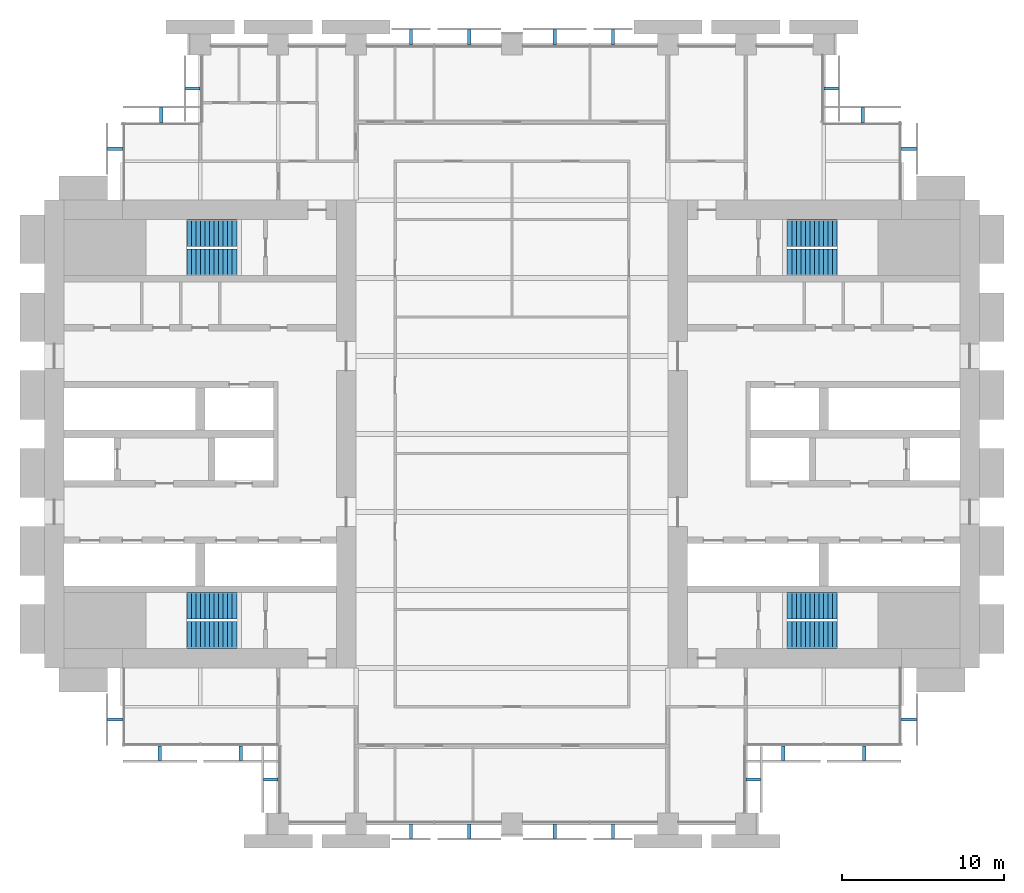
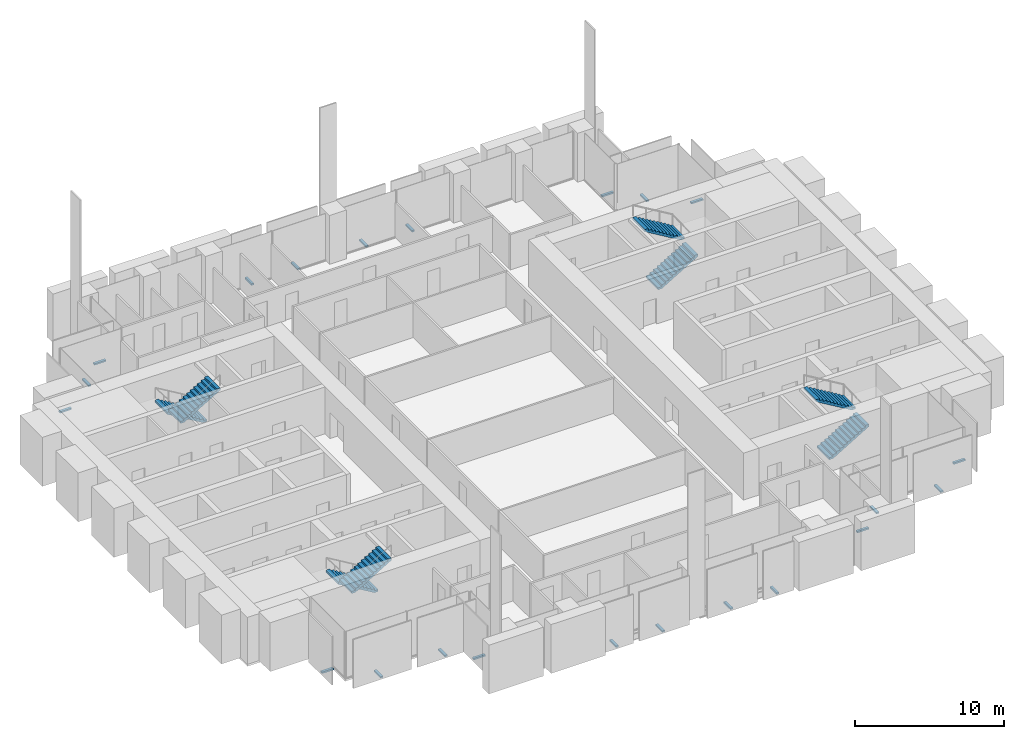
# One storey, part 13 of 14: 22 discrete accessories, 8 stair flights, 4 elements without a shape of their own.
"""IFC4 building model written with IfcOpenShell, lengths in metres."""

from ifc_helpers import new_model, si_unit, direction, frame, origin, origin_2d, place, context, subcontext, project, spatial, polyline, rectangle, outline, extrude, material, type_object, element, aggregate, save


model = new_model("IFC4")

# Units and contexts
model_context = context("Model", 3, precision=1e-05, world=origin(), true_north=direction((0.0, 1.0)))
body_context = subcontext(model_context, "Body", "Model", "MODEL_VIEW")
ifc_project = project(units=[si_unit("LENGTHUNIT", "METRE"), si_unit("AREAUNIT", "SQUARE_METRE"), si_unit("VOLUMEUNIT", "CUBIC_METRE"), si_unit("PLANEANGLEUNIT", "RADIAN"), si_unit("MASSUNIT", "GRAM", prefix="KILO")], contexts=[model_context])

# Site, building, storey
site_placement = place(None, origin())
site = spatial("IfcSite", under=ifc_project, at=site_placement, CompositionType="ELEMENT")
building_placement = place(site_placement, origin())
building = spatial("IfcBuilding", under=site, at=building_placement, Name="Baori Bourse Tower", CompositionType="ELEMENT")
storey_placement = place(building_placement, frame((0.0, 0.0, 63.0)))
storey = spatial("IfcBuildingStorey", under=building, at=storey_placement, Name="L13", CompositionType="ELEMENT", Elevation=63.0)

# Stair, stair flights
ifc_material_1 = material(Name="Concrete f'c 50 MPa", Category="concrete")
stair_type = type_object("IfcStairType", Name="Core stair", PredefinedType="HALF_TURN_STAIR", material=ifc_material_1)
stair_1_placement = place(storey_placement, origin())
stair_1 = element("IfcStair", 1, at=stair_1_placement, inside=storey, type_object=stair_type, Name="L13 Stair WA", PredefinedType="HALF_TURN_STAIR")
ifc_material_2 = material(Name="Concrete f'c 50 MPa", Category="concrete")
stair_flight_type = type_object("IfcStairFlightType", Name="Core stair flight", PredefinedType="STRAIGHT", material=ifc_material_2)
stair_flight_1_placement = place(storey_placement, frame((11.85009765625, 13.425048828125, 0.0), z_axis=(0.0, 0.0, 1.0), x_axis=(-1.0, 0.0, 0.0)))
stair_flight_1 = element("IfcStairFlight", 2, at=stair_flight_1_placement, type_object=stair_flight_type, Name="ST1 flight 1", NumberOfRisers=12, NumberOfTreads=11, PredefinedType="STRAIGHT", RiserHeight=0.166666667, TreadLength=0.28, context=body_context, shape_type="SweptSolid", body=[
    extrude(outline(polyline([(0.0, 0.0), (0.0, 0.166748046875), (0.280029296875, 0.166748046875), (0.280029296875, 0.333251953125), (0.56005859375, 0.333251953125), (0.56005859375, 0.5), (0.840087890625, 0.5), (0.840087890625, 0.666748046875), (1.1201171875, 0.666748046875), (1.1201171875, 0.833251953125), (1.39990234375, 0.833251953125), (1.39990234375, 1.0), (1.679931640625, 1.0), (1.679931640625, 1.166748046875), (1.9599609375, 1.166748046875), (1.9599609375, 1.333251953125), (2.239990234375, 1.333251953125), (2.239990234375, 1.5), (2.52001953125, 1.5), (2.52001953125, 1.666748046875), (2.800048828125, 1.666748046875), (2.800048828125, 1.833251953125), (3.080078125, 1.833251953125), (3.080078125, 2.0), (3.080078125, 1.658935546875), (0.29296875, 0.0), (0.0, 0.0)])), frame((0.0, 0.824951171875, 0.0), z_axis=(0.0, -1.0, 0.0), x_axis=(1.0, 0.0, 0.0)), (0.0, 0.0, 1.0), 1.64990234375),
])
stair_flight_2_placement = place(storey_placement, frame((8.77001953125, 11.625, 2.0), z_axis=(0.0, 0.0, 1.0), x_axis=(1.0, 0.0, 0.0)))
stair_flight_2 = element("IfcStairFlight", 3, at=stair_flight_2_placement, type_object=stair_flight_type, Name="ST1 flight 2", NumberOfRisers=12, NumberOfTreads=11, PredefinedType="STRAIGHT", RiserHeight=0.166666667, TreadLength=0.28, context=body_context, shape_type="SweptSolid", body=[
    extrude(outline(polyline([(0.0, 0.0), (0.0, 0.166748046875), (0.280029296875, 0.166748046875), (0.280029296875, 0.333251953125), (0.56005859375, 0.333251953125), (0.56005859375, 0.5), (0.840087890625, 0.5), (0.840087890625, 0.666748046875), (1.1201171875, 0.666748046875), (1.1201171875, 0.833251953125), (1.39990234375, 0.833251953125), (1.39990234375, 1.0), (1.679931640625, 1.0), (1.679931640625, 1.166748046875), (1.9599609375, 1.166748046875), (1.9599609375, 1.333251953125), (2.239990234375, 1.333251953125), (2.239990234375, 1.5), (2.52001953125, 1.5), (2.52001953125, 1.666748046875), (2.800048828125, 1.666748046875), (2.800048828125, 1.833251953125), (3.080078125, 1.833251953125), (3.080078125, 2.0), (3.080078125, 1.658935546875), (0.29296875, 0.0), (0.0, 0.0)])), frame((0.0, 0.824951171875, 0.0), z_axis=(0.0, -1.0, 0.0), x_axis=(1.0, 0.0, 0.0)), (0.0, 0.0, 1.0), 1.64990234375),
])
aggregate(stair_1, [stair_flight_1, stair_flight_2])

stair_2_placement = place(storey_placement, origin())
stair_2 = element("IfcStair", 4, at=stair_2_placement, inside=storey, type_object=stair_type, Name="L13 Stair WB", PredefinedType="HALF_TURN_STAIR")
stair_flight_3_placement = place(storey_placement, frame((11.85009765625, 36.375, 0.0), z_axis=(0.0, 0.0, 1.0), x_axis=(-1.0, 0.0, 0.0)))
stair_flight_3 = element("IfcStairFlight", 5, at=stair_flight_3_placement, type_object=stair_flight_type, Name="ST2 flight 1", NumberOfRisers=12, NumberOfTreads=11, PredefinedType="STRAIGHT", RiserHeight=0.166666667, TreadLength=0.28, context=body_context, shape_type="SweptSolid", body=[
    extrude(outline(polyline([(0.0, 0.0), (0.0, 0.166748046875), (0.280029296875, 0.166748046875), (0.280029296875, 0.333251953125), (0.56005859375, 0.333251953125), (0.56005859375, 0.5), (0.840087890625, 0.5), (0.840087890625, 0.666748046875), (1.1201171875, 0.666748046875), (1.1201171875, 0.833251953125), (1.39990234375, 0.833251953125), (1.39990234375, 1.0), (1.679931640625, 1.0), (1.679931640625, 1.166748046875), (1.9599609375, 1.166748046875), (1.9599609375, 1.333251953125), (2.239990234375, 1.333251953125), (2.239990234375, 1.5), (2.52001953125, 1.5), (2.52001953125, 1.666748046875), (2.800048828125, 1.666748046875), (2.800048828125, 1.833251953125), (3.080078125, 1.833251953125), (3.080078125, 2.0), (3.080078125, 1.658935546875), (0.29296875, 0.0), (0.0, 0.0)])), frame((0.0, 0.824951171875, 0.0), z_axis=(0.0, -1.0, 0.0), x_axis=(1.0, 0.0, 0.0)), (0.0, 0.0, 1.0), 1.64990234375),
])
stair_flight_4_placement = place(storey_placement, frame((8.77001953125, 34.574951171875, 2.0), z_axis=(0.0, 0.0, 1.0), x_axis=(1.0, 0.0, 0.0)))
stair_flight_4 = element("IfcStairFlight", 6, at=stair_flight_4_placement, type_object=stair_flight_type, Name="ST2 flight 2", NumberOfRisers=12, NumberOfTreads=11, PredefinedType="STRAIGHT", RiserHeight=0.166666667, TreadLength=0.28, context=body_context, shape_type="SweptSolid", body=[
    extrude(outline(polyline([(0.0, 0.0), (0.0, 0.166748046875), (0.280029296875, 0.166748046875), (0.280029296875, 0.333251953125), (0.56005859375, 0.333251953125), (0.56005859375, 0.5), (0.840087890625, 0.5), (0.840087890625, 0.666748046875), (1.1201171875, 0.666748046875), (1.1201171875, 0.833251953125), (1.39990234375, 0.833251953125), (1.39990234375, 1.0), (1.679931640625, 1.0), (1.679931640625, 1.166748046875), (1.9599609375, 1.166748046875), (1.9599609375, 1.333251953125), (2.239990234375, 1.333251953125), (2.239990234375, 1.5), (2.52001953125, 1.5), (2.52001953125, 1.666748046875), (2.800048828125, 1.666748046875), (2.800048828125, 1.833251953125), (3.080078125, 1.833251953125), (3.080078125, 2.0), (3.080078125, 1.658935546875), (0.29296875, 0.0), (0.0, 0.0)])), frame((0.0, 0.824951171875, 0.0), z_axis=(0.0, -1.0, 0.0), x_axis=(1.0, 0.0, 0.0)), (0.0, 0.0, 1.0), 1.64990234375),
])
aggregate(stair_2, [stair_flight_3, stair_flight_4])

stair_3_placement = place(storey_placement, origin())
stair_3 = element("IfcStair", 7, at=stair_3_placement, inside=storey, type_object=stair_type, Name="L13 Stair EA", PredefinedType="HALF_TURN_STAIR")
stair_flight_5_placement = place(storey_placement, frame((45.75, 11.625, 0.0), z_axis=(0.0, 0.0, 1.0), x_axis=(1.0, 0.0, 0.0)))
stair_flight_5 = element("IfcStairFlight", 8, at=stair_flight_5_placement, type_object=stair_flight_type, Name="ST3 flight 1", NumberOfRisers=12, NumberOfTreads=11, PredefinedType="STRAIGHT", RiserHeight=0.166666667, TreadLength=0.28, context=body_context, shape_type="SweptSolid", body=[
    extrude(outline(polyline([(0.0, 0.0), (0.0, 0.166748046875), (0.280029296875, 0.166748046875), (0.280029296875, 0.333251953125), (0.56005859375, 0.333251953125), (0.56005859375, 0.5), (0.840087890625, 0.5), (0.840087890625, 0.666748046875), (1.1201171875, 0.666748046875), (1.1201171875, 0.833251953125), (1.39990234375, 0.833251953125), (1.39990234375, 1.0), (1.679931640625, 1.0), (1.679931640625, 1.166748046875), (1.9599609375, 1.166748046875), (1.9599609375, 1.333251953125), (2.239990234375, 1.333251953125), (2.239990234375, 1.5), (2.52001953125, 1.5), (2.52001953125, 1.666748046875), (2.800048828125, 1.666748046875), (2.800048828125, 1.833251953125), (3.080078125, 1.833251953125), (3.080078125, 2.0), (3.080078125, 1.658935546875), (0.29296875, 0.0), (0.0, 0.0)])), frame((0.0, 0.824951171875, 0.0), z_axis=(0.0, -1.0, 0.0), x_axis=(1.0, 0.0, 0.0)), (0.0, 0.0, 1.0), 1.64990234375),
])
stair_flight_6_placement = place(storey_placement, frame((48.830078125, 13.425048828125, 2.0), z_axis=(0.0, 0.0, 1.0), x_axis=(-1.0, 0.0, 0.0)))
stair_flight_6 = element("IfcStairFlight", 9, at=stair_flight_6_placement, type_object=stair_flight_type, Name="ST3 flight 2", NumberOfRisers=12, NumberOfTreads=11, PredefinedType="STRAIGHT", RiserHeight=0.166666667, TreadLength=0.28, context=body_context, shape_type="SweptSolid", body=[
    extrude(outline(polyline([(0.0, 0.0), (0.0, 0.166748046875), (0.280029296875, 0.166748046875), (0.280029296875, 0.333251953125), (0.56005859375, 0.333251953125), (0.56005859375, 0.5), (0.840087890625, 0.5), (0.840087890625, 0.666748046875), (1.1201171875, 0.666748046875), (1.1201171875, 0.833251953125), (1.39990234375, 0.833251953125), (1.39990234375, 1.0), (1.679931640625, 1.0), (1.679931640625, 1.166748046875), (1.9599609375, 1.166748046875), (1.9599609375, 1.333251953125), (2.239990234375, 1.333251953125), (2.239990234375, 1.5), (2.52001953125, 1.5), (2.52001953125, 1.666748046875), (2.800048828125, 1.666748046875), (2.800048828125, 1.833251953125), (3.080078125, 1.833251953125), (3.080078125, 2.0), (3.080078125, 1.658935546875), (0.29296875, 0.0), (0.0, 0.0)])), frame((0.0, 0.824951171875, 0.0), z_axis=(0.0, -1.0, 0.0), x_axis=(1.0, 0.0, 0.0)), (0.0, 0.0, 1.0), 1.64990234375),
])
aggregate(stair_3, [stair_flight_5, stair_flight_6])

stair_4_placement = place(storey_placement, origin())
stair_4 = element("IfcStair", 10, at=stair_4_placement, inside=storey, type_object=stair_type, Name="L13 Stair EB", PredefinedType="HALF_TURN_STAIR")
stair_flight_7_placement = place(storey_placement, frame((45.75, 34.574951171875, 0.0), z_axis=(0.0, 0.0, 1.0), x_axis=(1.0, 0.0, 0.0)))
stair_flight_7 = element("IfcStairFlight", 11, at=stair_flight_7_placement, type_object=stair_flight_type, Name="ST4 flight 1", NumberOfRisers=12, NumberOfTreads=11, PredefinedType="STRAIGHT", RiserHeight=0.166666667, TreadLength=0.28, context=body_context, shape_type="SweptSolid", body=[
    extrude(outline(polyline([(0.0, 0.0), (0.0, 0.166748046875), (0.280029296875, 0.166748046875), (0.280029296875, 0.333251953125), (0.56005859375, 0.333251953125), (0.56005859375, 0.5), (0.840087890625, 0.5), (0.840087890625, 0.666748046875), (1.1201171875, 0.666748046875), (1.1201171875, 0.833251953125), (1.39990234375, 0.833251953125), (1.39990234375, 1.0), (1.679931640625, 1.0), (1.679931640625, 1.166748046875), (1.9599609375, 1.166748046875), (1.9599609375, 1.333251953125), (2.239990234375, 1.333251953125), (2.239990234375, 1.5), (2.52001953125, 1.5), (2.52001953125, 1.666748046875), (2.800048828125, 1.666748046875), (2.800048828125, 1.833251953125), (3.080078125, 1.833251953125), (3.080078125, 2.0), (3.080078125, 1.658935546875), (0.29296875, 0.0), (0.0, 0.0)])), frame((0.0, 0.824951171875, 0.0), z_axis=(0.0, -1.0, 0.0), x_axis=(1.0, 0.0, 0.0)), (0.0, 0.0, 1.0), 1.64990234375),
])
stair_flight_8_placement = place(storey_placement, frame((48.830078125, 36.375, 2.0), z_axis=(0.0, 0.0, 1.0), x_axis=(-1.0, 0.0, 0.0)))
stair_flight_8 = element("IfcStairFlight", 12, at=stair_flight_8_placement, type_object=stair_flight_type, Name="ST4 flight 2", NumberOfRisers=12, NumberOfTreads=11, PredefinedType="STRAIGHT", RiserHeight=0.166666667, TreadLength=0.28, context=body_context, shape_type="SweptSolid", body=[
    extrude(outline(polyline([(0.0, 0.0), (0.0, 0.166748046875), (0.280029296875, 0.166748046875), (0.280029296875, 0.333251953125), (0.56005859375, 0.333251953125), (0.56005859375, 0.5), (0.840087890625, 0.5), (0.840087890625, 0.666748046875), (1.1201171875, 0.666748046875), (1.1201171875, 0.833251953125), (1.39990234375, 0.833251953125), (1.39990234375, 1.0), (1.679931640625, 1.0), (1.679931640625, 1.166748046875), (1.9599609375, 1.166748046875), (1.9599609375, 1.333251953125), (2.239990234375, 1.333251953125), (2.239990234375, 1.5), (2.52001953125, 1.5), (2.52001953125, 1.666748046875), (2.800048828125, 1.666748046875), (2.800048828125, 1.833251953125), (3.080078125, 1.833251953125), (3.080078125, 2.0), (3.080078125, 1.658935546875), (0.29296875, 0.0), (0.0, 0.0)])), frame((0.0, 0.824951171875, 0.0), z_axis=(0.0, -1.0, 0.0), x_axis=(1.0, 0.0, 0.0)), (0.0, 0.0, 1.0), 1.64990234375),
])
aggregate(stair_4, [stair_flight_7, stair_flight_8])

# Discrete accessories
ifc_material_3 = material(Name="Pale anodised aluminium", Category="aluminium")
discrete_accessory_type = type_object("IfcDiscreteAccessoryType", Name="OS2 Outer skin bracket", PredefinedType="BRACKET", material=ifc_material_3)
for number, where, z_axis, x_axis, name in (
    (13, (53.25, 41.574951171875, -0.14404296875), (0.0, 0.0, 1.0), (0.0, 1.0, 0.0), "Outer skin bracket L13 1"),
    (14, (50.39990234375, 43.64990234375, -0.14404296875), (0.0, 0.0, 1.0), (-1.0, 0.0, 0.0), "Outer skin bracket L13 2"),
    (15, (48.449951171875, 45.27490234375, -0.14404296875), (0.0, 0.0, 1.0), (0.0, 1.0, 0.0), "Outer skin bracket L13 3"),
    (16, (35.012451171875, 48.449951171875, -0.14404296875), (0.0, 0.0, 1.0), (-1.0, 0.0, 0.0), "Outer skin bracket L13 4"),
    (17, (31.4375, 48.449951171875, -0.14404296875), (0.0, 0.0, 1.0), (-1.0, 0.0, 0.0), "Outer skin bracket L13 5"),
    (18, (26.16259765625, 48.449951171875, -0.14404296875), (0.0, 0.0, 1.0), (-1.0, 0.0, 0.0), "Outer skin bracket L13 6"),
    (19, (22.58740234375, 48.449951171875, -0.14404296875), (0.0, 0.0, 1.0), (-1.0, 0.0, 0.0), "Outer skin bracket L13 7"),
    (20, (9.14990234375, 45.27490234375, -0.14404296875), (0.0, 0.0, 1.0), (0.0, -1.0, 0.0), "Outer skin bracket L13 8"),
    (21, (7.199951171875, 43.64990234375, -0.14404296875), (0.0, 0.0, 1.0), (-1.0, 0.0, 0.0), "Outer skin bracket L13 9"),
    (22, (4.35009765625, 41.574951171875, -0.14404296875), (0.0, 0.0, 1.0), (0.0, -1.0, 0.0), "Outer skin bracket L13 10"),
    (23, (4.35009765625, 6.425048828125, -0.14404296875), (0.0, 0.0, 1.0), (0.0, -1.0, 0.0), "Outer skin bracket L13 11"),
    (24, (7.112548828125, 4.35009765625, -0.14404296875), (0.0, 0.0, 1.0), (1.0, 0.0, 0.0), "Outer skin bracket L13 12"),
    (25, (12.08740234375, 4.35009765625, -0.14404296875), (0.0, 0.0, 1.0), (1.0, 0.0, 0.0), "Outer skin bracket L13 13"),
    (26, (13.949951171875, 2.72509765625, -0.14404296875), (0.0, 0.0, 1.0), (0.0, -1.0, 0.0), "Outer skin bracket L13 14"),
    (27, (22.58740234375, -0.449951171875, -0.14404296875), (0.0, 0.0, 1.0), (1.0, 0.0, 0.0), "Outer skin bracket L13 15"),
    (28, (26.16259765625, -0.449951171875, -0.14404296875), (0.0, 0.0, 1.0), (1.0, 0.0, 0.0), "Outer skin bracket L13 16"),
    (29, (31.4375, -0.449951171875, -0.14404296875), (0.0, 0.0, 1.0), (1.0, 0.0, 0.0), "Outer skin bracket L13 17"),
    (30, (35.012451171875, -0.449951171875, -0.14404296875), (0.0, 0.0, 1.0), (1.0, 0.0, 0.0), "Outer skin bracket L13 18"),
    (31, (43.64990234375, 2.72509765625, -0.14404296875), (0.0, 0.0, 1.0), (0.0, 1.0, 0.0), "Outer skin bracket L13 19"),
    (32, (45.512451171875, 4.35009765625, -0.14404296875), (0.0, 0.0, 1.0), (1.0, 0.0, 0.0), "Outer skin bracket L13 20"),
    (33, (50.487548828125, 4.35009765625, -0.14404296875), (0.0, 0.0, 1.0), (1.0, 0.0, 0.0), "Outer skin bracket L13 21"),
    (34, (53.25, 6.425048828125, -0.14404296875), (0.0, 0.0, 1.0), (0.0, 1.0, 0.0), "Outer skin bracket L13 22"),
):
    element("IfcDiscreteAccessory", number, at=place(storey_placement, frame(where, z_axis=z_axis, x_axis=x_axis)), inside=storey, type_object=discrete_accessory_type, Name=name, PredefinedType="BRACKET", context=body_context, shape_type="SweptSolid", body=[
        extrude(rectangle(XDim=0.199951171875, YDim=0.89990234375, at=origin_2d()), origin(), (0.0, 0.0, 1.0), 0.1279296875),
    ])

save(model, "model.ifc")
